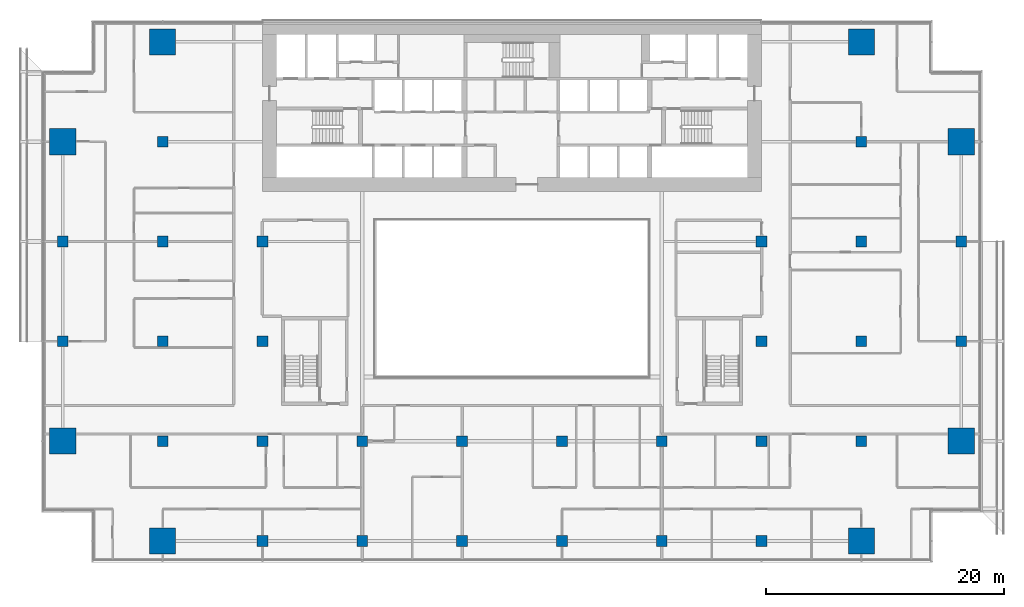
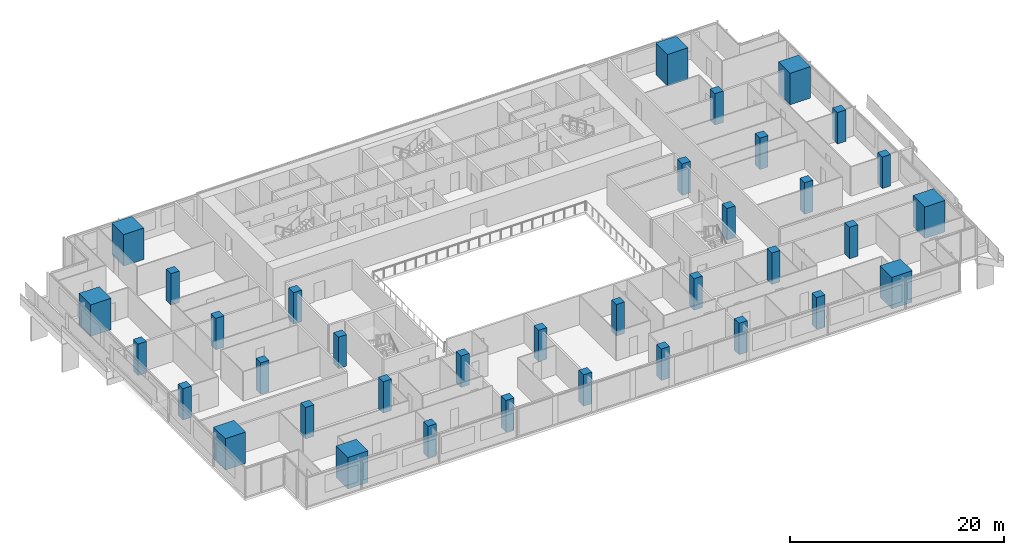
# One storey, part 1 of 25: 36 columns.
"""IFC4 building model written with IfcOpenShell, lengths in metres."""

from ifc_helpers import new_model, si_unit, direction, frame, origin, origin_2d, place, context, subcontext, project, spatial, rectangle, extrude, material, material_profile, profile_set, type_object, element, save


model = new_model("IFC4")

# Units and contexts
model_context = context("Model", 3, precision=1e-05, world=origin(), true_north=direction((0.0, 1.0)))
body_context = subcontext(model_context, "Body", "Model", "MODEL_VIEW")
ifc_project = project(units=[si_unit("LENGTHUNIT", "METRE"), si_unit("AREAUNIT", "SQUARE_METRE"), si_unit("VOLUMEUNIT", "CUBIC_METRE"), si_unit("PLANEANGLEUNIT", "RADIAN"), si_unit("MASSUNIT", "GRAM", prefix="KILO")], contexts=[model_context])

# Site, building, storey
site_placement = place(None, origin())
site = spatial("IfcSite", under=ifc_project, at=site_placement, CompositionType="ELEMENT")
building_placement = place(site_placement, origin())
building = spatial("IfcBuilding", under=site, at=building_placement, Name="Saffron Gate Tower", CompositionType="ELEMENT")
storey_placement = place(building_placement, frame((0.0, 0.0, 73.199951171875)))
storey = spatial("IfcBuildingStorey", under=building, at=storey_placement, Name="L17", CompositionType="ELEMENT", Elevation=73.199951171875)

# Columns
ifc_material_1 = material(Name="Concrete C60", Category="concrete")
ifc_material_profile_1 = material_profile(ifc_material_1, rectangle(XDim=0.89990234375, YDim=0.89990234375, at=origin_2d()))
ifc_profile_set_1 = profile_set([ifc_material_profile_1], Name="Concrete C60")
column_type_1 = type_object("IfcColumnType", Name="C6 RC 900x900 CONCRETE C60", PredefinedType="COLUMN", material=ifc_profile_set_1)
for number, where, z_axis, x_axis, name in (
    (1, (49.800048828125, 48.60009765625, 0.0), (0.0, 0.0, 1.0), (1.0, 0.0, 0.0), "C6 COLUMN X1-C"),
    (2, (49.800048828125, 57.0, 0.0), (0.0, 0.0, 1.0), (1.0, 0.0, 0.0), "C6 COLUMN X1-D"),
    (3, (58.199951171875, 40.199951171875, 0.0), (0.0, 0.0, 1.0), (1.0, 0.0, 0.0), "C6 COLUMN X2-B"),
    (4, (58.199951171875, 48.60009765625, 0.0), (0.0, 0.0, 1.0), (1.0, 0.0, 0.0), "C6 COLUMN X2-C"),
    (5, (58.199951171875, 57.0, 0.0), (0.0, 0.0, 1.0), (1.0, 0.0, 0.0), "C6 COLUMN X2-D"),
    (6, (58.199951171875, 65.39990234375, 0.0), (0.0, 0.0, 1.0), (1.0, 0.0, 0.0), "C6 COLUMN X2-E"),
    (7, (66.60009765625, 31.800048828125, 0.0), (0.0, 0.0, 1.0), (1.0, 0.0, 0.0), "C6 COLUMN X3-A"),
    (8, (66.60009765625, 40.199951171875, 0.0), (0.0, 0.0, 1.0), (1.0, 0.0, 0.0), "C6 COLUMN X3-B"),
    (9, (66.60009765625, 48.60009765625, 0.0), (0.0, 0.0, 1.0), (1.0, 0.0, 0.0), "C6 COLUMN X3-C"),
    (10, (66.60009765625, 57.0, 0.0), (0.0, 0.0, 1.0), (1.0, 0.0, 0.0), "C6 COLUMN X3-D"),
    (11, (75.0, 31.800048828125, 0.0), (0.0, 0.0, 1.0), (1.0, 0.0, 0.0), "C6 COLUMN X4-A"),
    (12, (75.0, 40.199951171875, 0.0), (0.0, 0.0, 1.0), (1.0, 0.0, 0.0), "C6 COLUMN X4-B"),
    (13, (83.39990234375, 31.800048828125, 0.0), (0.0, 0.0, 1.0), (1.0, 0.0, 0.0), "C6 COLUMN X5-A"),
    (14, (83.39990234375, 40.199951171875, 0.0), (0.0, 0.0, 1.0), (1.0, 0.0, 0.0), "C6 COLUMN X5-B"),
    (15, (91.800048828125, 31.800048828125, 0.0), (0.0, 0.0, 1.0), (1.0, 0.0, 0.0), "C6 COLUMN X6-A"),
    (16, (91.800048828125, 40.199951171875, 0.0), (0.0, 0.0, 1.0), (1.0, 0.0, 0.0), "C6 COLUMN X6-B"),
    (17, (100.199951171875, 31.800048828125, 0.0), (0.0, 0.0, 1.0), (1.0, 0.0, 0.0), "C6 COLUMN X7-A"),
    (18, (100.199951171875, 40.199951171875, 0.0), (0.0, 0.0, 1.0), (1.0, 0.0, 0.0), "C6 COLUMN X7-B"),
    (19, (108.60009765625, 31.800048828125, 0.0), (0.0, 0.0, 1.0), (1.0, 0.0, 0.0), "C6 COLUMN X8-A"),
    (20, (108.60009765625, 40.199951171875, 0.0), (0.0, 0.0, 1.0), (1.0, 0.0, 0.0), "C6 COLUMN X8-B"),
    (21, (108.60009765625, 48.60009765625, 0.0), (0.0, 0.0, 1.0), (1.0, 0.0, 0.0), "C6 COLUMN X8-C"),
    (22, (108.60009765625, 57.0, 0.0), (0.0, 0.0, 1.0), (1.0, 0.0, 0.0), "C6 COLUMN X8-D"),
    (23, (117.0, 40.199951171875, 0.0), (0.0, 0.0, 1.0), (1.0, 0.0, 0.0), "C6 COLUMN X9-B"),
    (24, (117.0, 48.60009765625, 0.0), (0.0, 0.0, 1.0), (1.0, 0.0, 0.0), "C6 COLUMN X9-C"),
    (25, (117.0, 57.0, 0.0), (0.0, 0.0, 1.0), (1.0, 0.0, 0.0), "C6 COLUMN X9-D"),
    (26, (117.0, 65.39990234375, 0.0), (0.0, 0.0, 1.0), (1.0, 0.0, 0.0), "C6 COLUMN X9-E"),
    (27, (125.39990234375, 48.60009765625, 0.0), (0.0, 0.0, 1.0), (1.0, 0.0, 0.0), "C6 COLUMN X10-C"),
    (28, (125.39990234375, 57.0, 0.0), (0.0, 0.0, 1.0), (1.0, 0.0, 0.0), "C6 COLUMN X10-D"),
):
    element("IfcColumn", number, at=place(storey_placement, frame(where, z_axis=z_axis, x_axis=x_axis)), inside=storey, type_object=column_type_1, Name=name, PredefinedType="COLUMN", context=body_context, shape_type="SweptSolid", body=[
        extrude(rectangle(XDim=0.89990234375, YDim=0.89990234375, at=origin_2d()), origin(), (0.0, 0.0, 1.0), 3.60009765625),
    ])
ifc_material_2 = material(Name="Concrete C80", Category="concrete")
ifc_material_profile_2 = material_profile(ifc_material_2, rectangle(XDim=2.199951171875, YDim=2.199951171875, at=origin_2d()))
ifc_profile_set_2 = profile_set([ifc_material_profile_2], Name="Concrete C80")
column_type_2 = type_object("IfcColumnType", Name="MC4 RC 2200x2200 CONCRETE C80", PredefinedType="COLUMN", material=ifc_profile_set_2)
for number, where, z_axis, x_axis, name in (
    (29, (49.800048828125, 40.199951171875, 0.0), (0.0, 0.0, 1.0), (1.0, 0.0, 0.0), "MC4 MEGA COLUMN X1-B"),
    (30, (49.800048828125, 65.39990234375, 0.0), (0.0, 0.0, 1.0), (1.0, 0.0, 0.0), "MC4 MEGA COLUMN X1-E"),
    (31, (58.199951171875, 31.800048828125, 0.0), (0.0, 0.0, 1.0), (1.0, 0.0, 0.0), "MC4 MEGA COLUMN X2-A"),
    (32, (58.199951171875, 73.800048828125, 0.0), (0.0, 0.0, 1.0), (1.0, 0.0, 0.0), "MC4 MEGA COLUMN X2-F"),
    (33, (117.0, 31.800048828125, 0.0), (0.0, 0.0, 1.0), (1.0, 0.0, 0.0), "MC4 MEGA COLUMN X9-A"),
    (34, (117.0, 73.800048828125, 0.0), (0.0, 0.0, 1.0), (1.0, 0.0, 0.0), "MC4 MEGA COLUMN X9-F"),
    (35, (125.39990234375, 40.199951171875, 0.0), (0.0, 0.0, 1.0), (1.0, 0.0, 0.0), "MC4 MEGA COLUMN X10-B"),
    (36, (125.39990234375, 65.39990234375, 0.0), (0.0, 0.0, 1.0), (1.0, 0.0, 0.0), "MC4 MEGA COLUMN X10-E"),
):
    element("IfcColumn", number, at=place(storey_placement, frame(where, z_axis=z_axis, x_axis=x_axis)), inside=storey, type_object=column_type_2, Name=name, PredefinedType="COLUMN", context=body_context, shape_type="SweptSolid", body=[
        extrude(rectangle(XDim=2.199951171875, YDim=2.199951171875, at=origin_2d()), origin(), (0.0, 0.0, 1.0), 3.60009765625),
    ])

save(model, "model.ifc")
